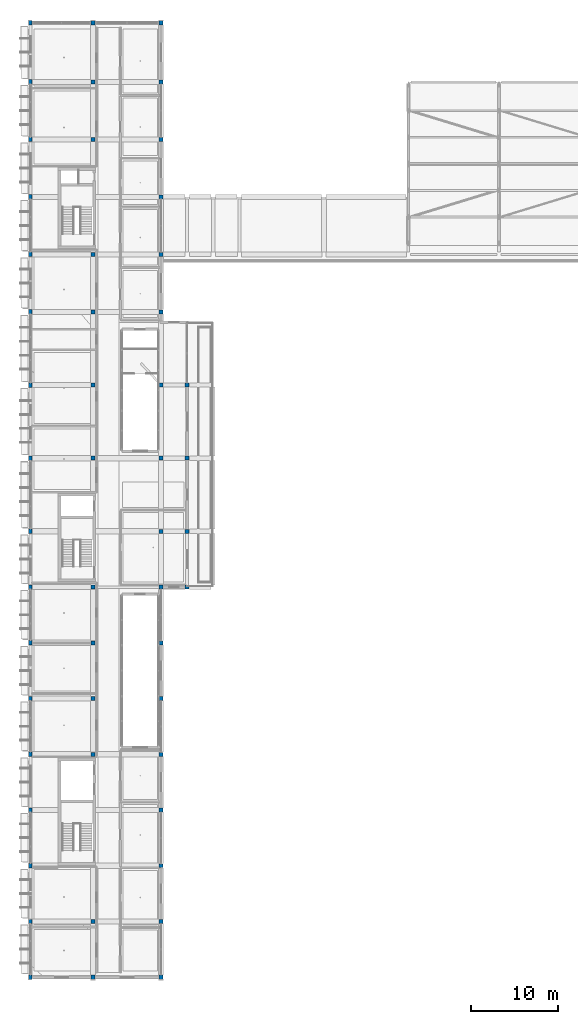
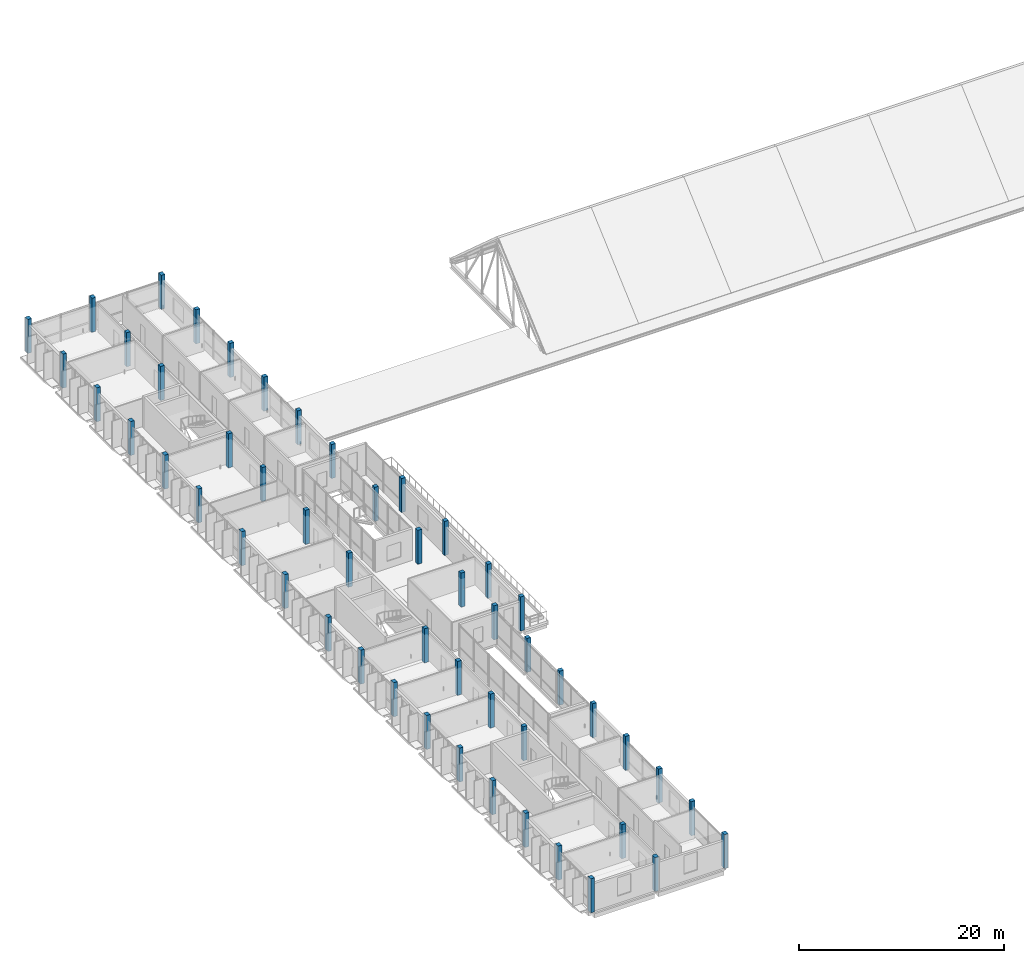
# One storey, part 1 of 86: 51 columns.
"""IFC4 building model written with IfcOpenShell, lengths in metres."""

from ifc_helpers import new_model, si_unit, derived_unit, direction, frame, origin, origin_2d, place, context, subcontext, project, spatial, rectangle, extrude, material, material_profile, profile_set, type_object, element, save


model = new_model("IFC4")

# Units and contexts
model_context = context("Model", 3, precision=1e-05, world=origin(), true_north=direction((0.0, 1.0)))
body_context = subcontext(model_context, "Body", "Model", "MODEL_VIEW")
ifc_project = project(units=[si_unit("LENGTHUNIT", "METRE"), si_unit("AREAUNIT", "SQUARE_METRE"), si_unit("VOLUMEUNIT", "CUBIC_METRE"), si_unit("PLANEANGLEUNIT", "RADIAN"), si_unit("MASSUNIT", "GRAM", prefix="KILO"), derived_unit("THERMALTRANSMITTANCEUNIT", [(si_unit("POWERUNIT", "WATT"), 1), (si_unit("LENGTHUNIT", "METRE"), -2), (si_unit("THERMODYNAMICTEMPERATUREUNIT", "KELVIN"), -1)])], contexts=[model_context])

# Site, building, storey
site_placement = place(None, origin())
site = spatial("IfcSite", under=ifc_project, at=site_placement, CompositionType="ELEMENT")
building_placement = place(site_placement, origin())
building = spatial("IfcBuilding", under=site, at=building_placement, Name="Braskholm Square Health Centre", CompositionType="ELEMENT")
storey_placement = place(building_placement, frame((0.0, 0.0, 13.5)))
storey = spatial("IfcBuildingStorey", under=building, at=storey_placement, Name="L04", CompositionType="ELEMENT", Elevation=13.5)

# Columns
ifc_material_1 = material(Name="Concrete C40/50 (f'c = 40 MPa)", Category="concrete")
ifc_material_profile_1 = material_profile(ifc_material_1, rectangle(XDim=0.449951171875, YDim=0.449951171875, at=origin_2d()), Name="RC-450X450")
ifc_profile_set_1 = profile_set([ifc_material_profile_1], Name="Concrete C40/50 (f'c = 40 MPa)")
column_type_1 = type_object("IfcColumnType", Name="ColInteriorTop450", PredefinedType="COLUMN", material=ifc_profile_set_1)
for number, where, z_axis, x_axis, name in (
    (1, (11.39990234375, 10.60009765625, 0.0), (0.0, 0.0, 1.0), (1.0, 0.0, 0.0), "Column 2/B L04"),
    (2, (11.39990234375, 29.800048828125, 0.0), (0.0, 0.0, 1.0), (1.0, 0.0, 0.0), "Column 2/E L04"),
    (3, (11.39990234375, 36.199951171875, 0.0), (0.0, 0.0, 1.0), (1.0, 0.0, 0.0), "Column 2/F L04"),
    (4, (11.39990234375, 42.60009765625, 0.0), (0.0, 0.0, 1.0), (1.0, 0.0, 0.0), "Column 2/G L04"),
    (5, (11.39990234375, 49.0, 0.0), (0.0, 0.0, 1.0), (1.0, 0.0, 0.0), "Column 2/H L04"),
    (6, (11.39990234375, 63.800048828125, 0.0), (0.0, 0.0, 1.0), (1.0, 0.0, 0.0), "Column 2/K L04"),
    (7, (11.39990234375, 72.199951171875, 0.0), (0.0, 0.0, 1.0), (1.0, 0.0, 0.0), "Column 2/L L04"),
    (8, (11.39990234375, 80.60009765625, 0.0), (0.0, 0.0, 1.0), (1.0, 0.0, 0.0), "Column 2/M L04"),
    (9, (11.39990234375, 87.199951171875, 0.0), (0.0, 0.0, 1.0), (1.0, 0.0, 0.0), "Column 2/N L04"),
    (10, (11.39990234375, 100.39990234375, 0.0), (0.0, 0.0, 1.0), (1.0, 0.0, 0.0), "Column 2/Q L04"),
    (11, (11.39990234375, 107.0, 0.0), (0.0, 0.0, 1.0), (1.0, 0.0, 0.0), "Column 2/R L04"),
    (12, (19.199951171875, 10.60009765625, 0.0), (0.0, 0.0, 1.0), (1.0, 0.0, 0.0), "Column 3/B L04"),
    (13, (19.199951171875, 17.0, 0.0), (0.0, 0.0, 1.0), (1.0, 0.0, 0.0), "Column 3/C L04"),
    (14, (19.199951171875, 23.39990234375, 0.0), (0.0, 0.0, 1.0), (1.0, 0.0, 0.0), "Column 3/D L04"),
    (15, (19.199951171875, 29.800048828125, 0.0), (0.0, 0.0, 1.0), (1.0, 0.0, 0.0), "Column 3/E L04"),
    (16, (19.199951171875, 36.199951171875, 0.0), (0.0, 0.0, 1.0), (1.0, 0.0, 0.0), "Column 3/F L04"),
    (17, (19.199951171875, 42.60009765625, 0.0), (0.0, 0.0, 1.0), (1.0, 0.0, 0.0), "Column 3/G L04"),
    (18, (19.199951171875, 49.0, 0.0), (0.0, 0.0, 1.0), (1.0, 0.0, 0.0), "Column 3/H L04"),
    (19, (19.199951171875, 55.39990234375, 0.0), (0.0, 0.0, 1.0), (1.0, 0.0, 0.0), "Column 3/J L04"),
    (20, (19.199951171875, 63.800048828125, 0.0), (0.0, 0.0, 1.0), (1.0, 0.0, 0.0), "Column 3/K L04"),
    (21, (19.199951171875, 72.199951171875, 0.0), (0.0, 0.0, 1.0), (1.0, 0.0, 0.0), "Column 3/L L04"),
    (22, (19.199951171875, 80.60009765625, 0.0), (0.0, 0.0, 1.0), (1.0, 0.0, 0.0), "Column 3/M L04"),
    (23, (19.199951171875, 87.199951171875, 0.0), (0.0, 0.0, 1.0), (1.0, 0.0, 0.0), "Column 3/N L04"),
    (24, (19.199951171875, 93.800048828125, 0.0), (0.0, 0.0, 1.0), (1.0, 0.0, 0.0), "Column 3/P L04"),
    (25, (19.199951171875, 100.39990234375, 0.0), (0.0, 0.0, 1.0), (1.0, 0.0, 0.0), "Column 3/Q L04"),
    (26, (19.199951171875, 107.0, 0.0), (0.0, 0.0, 1.0), (1.0, 0.0, 0.0), "Column 3/R L04"),
    (27, (22.199951171875, 49.0, 0.0), (0.0, 0.0, 1.0), (1.0, 0.0, 0.0), "Column 4/H L04"),
    (28, (22.199951171875, 55.39990234375, 0.0), (0.0, 0.0, 1.0), (1.0, 0.0, 0.0), "Column 4/J L04"),
    (29, (22.199951171875, 63.800048828125, 0.0), (0.0, 0.0, 1.0), (1.0, 0.0, 0.0), "Column 4/K L04"),
    (30, (22.199951171875, 72.199951171875, 0.0), (0.0, 0.0, 1.0), (1.0, 0.0, 0.0), "Column 4/L L04"),
):
    element("IfcColumn", number, at=place(storey_placement, frame(where, z_axis=z_axis, x_axis=x_axis)), inside=storey, type_object=column_type_1, Name=name, PredefinedType="COLUMN", context=body_context, shape_type="SweptSolid", body=[
        extrude(rectangle(XDim=0.449951171875, YDim=0.449951171875, at=origin_2d()), origin(), (0.0, 0.0, 1.0), 4.050048828125),
    ])
ifc_material_2 = material(Name="Precast concrete C40/50 architectural white", Category="concrete")
ifc_material_profile_2 = material_profile(ifc_material_2, rectangle(XDim=0.419921875, YDim=0.52001953125, at=origin_2d()), Name="RC-420X520")
ifc_profile_set_2 = profile_set([ifc_material_profile_2], Name="Precast concrete C40/50 architectural white")
column_type_2 = type_object("IfcColumnType", Name="ColPrecastFrame420x520", PredefinedType="COLUMN", material=ifc_profile_set_2)
for number, where, z_axis, x_axis, name in (
    (31, (4.199951171875, 4.199951171875, 0.0), (0.0, 0.0, 1.0), (1.0, 0.0, 0.0), "Column 1/A L04"),
    (32, (4.199951171875, 10.60009765625, 0.0), (0.0, 0.0, 1.0), (1.0, 0.0, 0.0), "Column 1/B L04"),
    (33, (4.199951171875, 17.0, 0.0), (0.0, 0.0, 1.0), (1.0, 0.0, 0.0), "Column 1/C L04"),
    (34, (4.199951171875, 23.39990234375, 0.0), (0.0, 0.0, 1.0), (1.0, 0.0, 0.0), "Column 1/D L04"),
    (35, (4.199951171875, 29.800048828125, 0.0), (0.0, 0.0, 1.0), (1.0, 0.0, 0.0), "Column 1/E L04"),
    (36, (4.199951171875, 36.199951171875, 0.0), (0.0, 0.0, 1.0), (1.0, 0.0, 0.0), "Column 1/F L04"),
    (37, (4.199951171875, 42.60009765625, 0.0), (0.0, 0.0, 1.0), (1.0, 0.0, 0.0), "Column 1/G L04"),
    (38, (4.199951171875, 49.0, 0.0), (0.0, 0.0, 1.0), (1.0, 0.0, 0.0), "Column 1/H L04"),
    (39, (4.199951171875, 55.39990234375, 0.0), (0.0, 0.0, 1.0), (1.0, 0.0, 0.0), "Column 1/J L04"),
    (40, (4.199951171875, 63.800048828125, 0.0), (0.0, 0.0, 1.0), (1.0, 0.0, 0.0), "Column 1/K L04"),
    (41, (4.199951171875, 72.199951171875, 0.0), (0.0, 0.0, 1.0), (1.0, 0.0, 0.0), "Column 1/L L04"),
    (42, (4.199951171875, 80.60009765625, 0.0), (0.0, 0.0, 1.0), (1.0, 0.0, 0.0), "Column 1/M L04"),
    (43, (4.199951171875, 87.199951171875, 0.0), (0.0, 0.0, 1.0), (1.0, 0.0, 0.0), "Column 1/N L04"),
    (44, (4.199951171875, 93.800048828125, 0.0), (0.0, 0.0, 1.0), (1.0, 0.0, 0.0), "Column 1/P L04"),
    (45, (4.199951171875, 100.39990234375, 0.0), (0.0, 0.0, 1.0), (1.0, 0.0, 0.0), "Column 1/Q L04"),
    (46, (4.199951171875, 107.0, 0.0), (0.0, 0.0, 1.0), (1.0, 0.0, 0.0), "Column 1/R L04"),
    (47, (4.199951171875, 113.800048828125, 0.0), (0.0, 0.0, 1.0), (1.0, 0.0, 0.0), "Column 1/S L04"),
    (48, (11.39990234375, 4.199951171875, 0.0), (0.0, 0.0, 1.0), (1.0, 0.0, 0.0), "Column 2/A L04"),
    (49, (11.39990234375, 113.800048828125, 0.0), (0.0, 0.0, 1.0), (1.0, 0.0, 0.0), "Column 2/S L04"),
    (50, (19.199951171875, 4.199951171875, 0.0), (0.0, 0.0, 1.0), (1.0, 0.0, 0.0), "Column 3/A L04"),
    (51, (19.199951171875, 113.800048828125, 0.0), (0.0, 0.0, 1.0), (1.0, 0.0, 0.0), "Column 3/S L04"),
):
    element("IfcColumn", number, at=place(storey_placement, frame(where, z_axis=z_axis, x_axis=x_axis)), inside=storey, type_object=column_type_2, Name=name, PredefinedType="COLUMN", context=body_context, shape_type="SweptSolid", body=[
        extrude(rectangle(XDim=0.419921875, YDim=0.52001953125, at=origin_2d()), origin(), (0.0, 0.0, 1.0), 4.050048828125),
    ])

save(model, "model.ifc")
